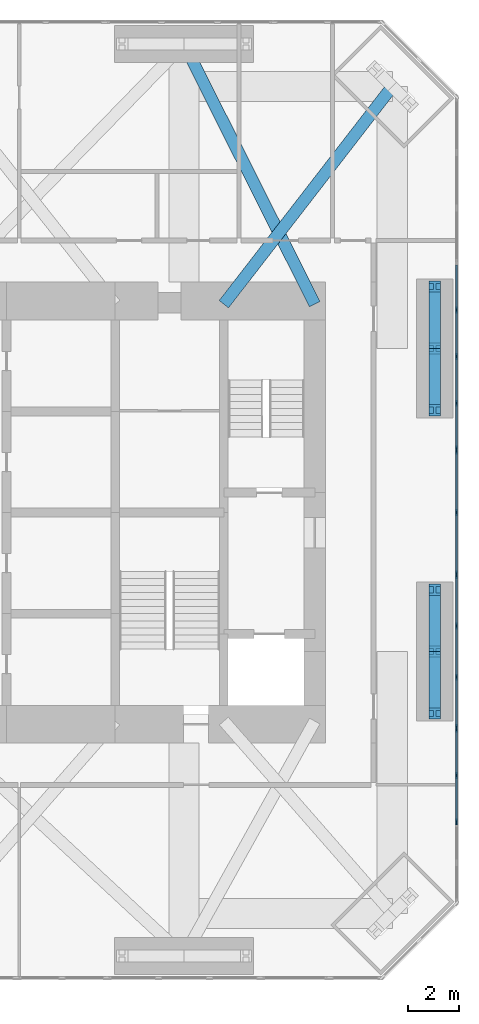
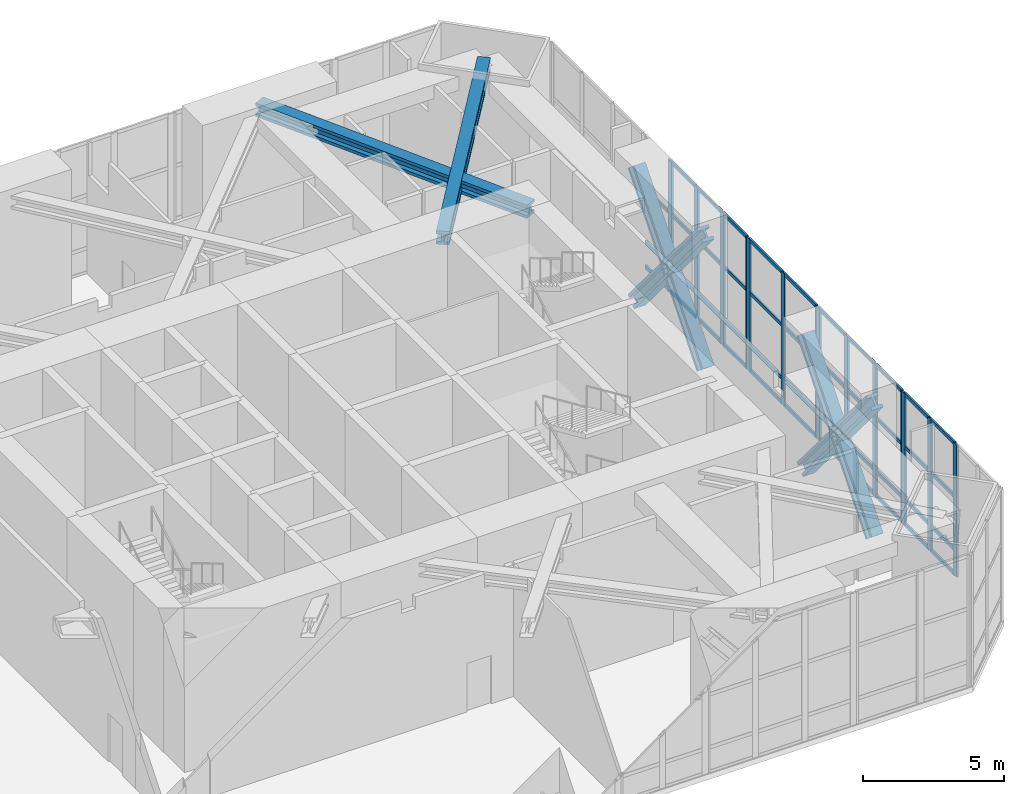
# One storey, part 6 of 18: 67 members, 4 elements without a shape of their own.
"""IFC4 building model written with IfcOpenShell, lengths in metres."""

from ifc_helpers import new_model, si_unit, direction, frame, origin, origin_2d, place, context, subcontext, project, spatial, rectangle, i_section, extrude, material, material_profile, profile_set, type_object, element, aggregate, save


model = new_model("IFC4")

# Units and contexts
model_context = context("Model", 3, precision=1e-05, world=origin(), true_north=direction((0.0, 1.0)))
body_context = subcontext(model_context, "Body", "Model", "MODEL_VIEW")
ifc_project = project(units=[si_unit("LENGTHUNIT", "METRE"), si_unit("AREAUNIT", "SQUARE_METRE"), si_unit("VOLUMEUNIT", "CUBIC_METRE"), si_unit("PLANEANGLEUNIT", "RADIAN"), si_unit("MASSUNIT", "GRAM", prefix="KILO")], contexts=[model_context])

# Site, building, storey
site_placement = place(None, origin())
site = spatial("IfcSite", under=ifc_project, at=site_placement, CompositionType="ELEMENT")
building_placement = place(site_placement, origin())
building = spatial("IfcBuilding", under=site, at=building_placement, Name="Jalousie Tower", CompositionType="ELEMENT")
storey_placement = place(building_placement, frame((0.0, 0.0, 138.35009765625)))
storey = spatial("IfcBuildingStorey", under=building, at=storey_placement, Name="L38", CompositionType="ELEMENT", Elevation=138.35009765625)

# Members
ifc_material_1 = material(Name="Steel ASTM A992 Grade 50", Category="steel")
ifc_material_profile_1 = material_profile(ifc_material_1, i_section(OverallWidth=0.472412109375, OverallDepth=0.5791015625, WebThickness=0.094970703125, FlangeThickness=0.1298828125, at=origin_2d()), Name="W14X808")
ifc_profile_set_1 = profile_set([ifc_material_profile_1], Name="Steel ASTM A992 Grade 50")
member_type_1 = type_object("IfcMemberType", Name="KINK FLOOR TRUSS DIAGONAL W14X808", PredefinedType="BRACE", material=ifc_profile_set_1)
member_1_placement = place(storey_placement, frame((46.86865234375, 35.36865234375, 5.430419921875), z_axis=(-0.61195492021, -0.79089264482, 0.0), x_axis=(0.79089264482, -0.61195492021, 0.0)))
element("IfcMember", 1, at=member_1_placement, inside=storey, type_object=member_type_1, Name="Kink floor truss L39 08 diagonal", PredefinedType="BRACE", context=body_context, shape_type="SweptSolid", body=[
    extrude(i_section(OverallWidth=0.472412109375, OverallDepth=0.5791015625, WebThickness=0.094970703125, FlangeThickness=0.1298828125, at=origin_2d()), origin(), (0.0, 0.0, 1.0), 10.8974609375),
])
member_2_placement = place(storey_placement, frame((38.625, 37.050048828125, 5.430419921875), z_axis=(0.448949500972, -0.893557130561, 0.0), x_axis=(0.893557130561, 0.448949500972, 0.0)))
element("IfcMember", 2, at=member_2_placement, inside=storey, type_object=member_type_1, Name="Kink floor truss L39 09 diagonal", PredefinedType="BRACE", context=body_context, shape_type="SweptSolid", body=[
    extrude(i_section(OverallWidth=0.472412109375, OverallDepth=0.5791015625, WebThickness=0.094970703125, FlangeThickness=0.1298828125, at=origin_2d()), origin(), (0.0, 0.0, 1.0), 11.527099609375),
])
ifc_material_2 = material(Name="Steel ASTM A992 Grade 50", Category="steel")
ifc_material_profile_2 = material_profile(ifc_material_2, i_section(OverallWidth=0.472412109375, OverallDepth=0.5791015625, WebThickness=0.094970703125, FlangeThickness=0.1298828125, at=origin_2d()), Name="W14X808")
ifc_profile_set_2 = profile_set([ifc_material_profile_2], Name="Steel ASTM A992 Grade 50")
member_type_2 = type_object("IfcMemberType", Name="PERIMETER BRACE W14X808", PredefinedType="BRACE", material=ifc_profile_set_2)
for number, where, z_axis, x_axis, name in (
    (3, (48.550048828125, 10.550048828125, -0.60009765625), (0.0, 0.642101988506, 0.766619225141), (-1.0, 0.0, 0.0), "Perimeter brace 06 L38 part 1"),
    (4, (48.550048828125, 13.0, 2.324951171875), (0.0, 0.642101988506, 0.766619225141), (-1.0, 0.0, 0.0), "Perimeter brace 06 L38 part 2"),
    (5, (48.550048828125, 15.449951171875, -0.60009765625), (0.0, -0.642101988506, 0.766619225141), (1.0, 0.0, 0.0), "Perimeter brace 06 L38 part 3"),
    (6, (48.550048828125, 13.0, 2.324951171875), (0.0, -0.642101988506, 0.766619225141), (1.0, 0.0, 0.0), "Perimeter brace 06 L38 part 4"),
    (7, (48.550048828125, 22.550048828125, -0.60009765625), (0.0, 0.642101988506, 0.766619225141), (-1.0, 0.0, 0.0), "Perimeter brace 07 L38 part 1"),
    (8, (48.550048828125, 25.0, 2.324951171875), (0.0, 0.642101988506, 0.766619225141), (-1.0, 0.0, 0.0), "Perimeter brace 07 L38 part 2"),
    (9, (48.550048828125, 27.449951171875, -0.60009765625), (0.0, -0.642101988506, 0.766619225141), (1.0, 0.0, 0.0), "Perimeter brace 07 L38 part 3"),
    (10, (48.550048828125, 25.0, 2.324951171875), (0.0, -0.642101988506, 0.766619225141), (1.0, 0.0, 0.0), "Perimeter brace 07 L38 part 4"),
):
    element("IfcMember", number, at=place(storey_placement, frame(where, z_axis=z_axis, x_axis=x_axis)), inside=storey, type_object=member_type_2, Name=name, PredefinedType="BRACE", context=body_context, shape_type="SweptSolid", body=[
        extrude(i_section(OverallWidth=0.472412109375, OverallDepth=0.5791015625, WebThickness=0.094970703125, FlangeThickness=0.1298828125, at=origin_2d()), origin(), (0.0, 0.0, 1.0), 3.8154296875),
    ])

# Curtain wall, members
ifc_material_3 = material(Name="Aluminium curtain wall", Category="aluminium")
curtain_wall_type_1 = type_object("IfcCurtainWallType", Name="SKY LOUNGE SPANDREL WALL", PredefinedType="USERDEFINED", material=ifc_material_3)
curtain_wall_1_placement = place(storey_placement, origin())
curtain_wall_1 = element("IfcCurtainWall", 11, at=curtain_wall_1_placement, inside=storey, type_object=curtain_wall_type_1, Name="Sky Lounge Spandrel Wall L38 23", ObjectType="SKY LOUNGE SPANDREL WALL", PredefinedType="USERDEFINED")
ifc_material_4 = material(Name="Aluminium mullion", Category="aluminium")
ifc_material_profile_3 = material_profile(ifc_material_4, rectangle(XDim=0.074951171875, YDim=0.25, at=origin_2d()), Name="MULLION 75x250")
ifc_profile_set_3 = profile_set([ifc_material_profile_3], Name="Aluminium mullion")
member_type_3 = type_object("IfcMemberType", Name="SKY LOUNGE SPANDREL WALL MULLION", PredefinedType="MULLION", material=ifc_profile_set_3)
member_3_placement = place(storey_placement, frame((49.41259765625, 9.998046875, 0.0), z_axis=(0.0, 0.0, 1.0), x_axis=(-1.0, 0.0, 0.0)))
member_3 = element("IfcMember", 12, at=member_3_placement, type_object=member_type_3, Name="CW-KS mullion 1", PredefinedType="MULLION", context=body_context, shape_type="SweptSolid", body=[
    extrude(rectangle(XDim=0.074951171875, YDim=0.25, at=origin_2d()), origin(), (0.0, 0.0, 1.0), 5.719970703125),
])
member_4_placement = place(storey_placement, frame((49.41259765625, 11.98681640625, 0.0), z_axis=(0.0, 0.0, 1.0), x_axis=(-1.0, 0.0, 0.0)))
member_4 = element("IfcMember", 13, at=member_4_placement, type_object=member_type_3, Name="CW-KS mullion 2", PredefinedType="MULLION", context=body_context, shape_type="SweptSolid", body=[
    extrude(rectangle(XDim=0.074951171875, YDim=0.25, at=origin_2d()), origin(), (0.0, 0.0, 1.0), 5.719970703125),
])
member_5_placement = place(storey_placement, frame((49.41259765625, 14.01318359375, 0.0), z_axis=(0.0, 0.0, 1.0), x_axis=(-1.0, 0.0, 0.0)))
member_5 = element("IfcMember", 14, at=member_5_placement, type_object=member_type_3, Name="CW-KS mullion 3", PredefinedType="MULLION", context=body_context, shape_type="SweptSolid", body=[
    extrude(rectangle(XDim=0.074951171875, YDim=0.25, at=origin_2d()), origin(), (0.0, 0.0, 1.0), 5.719970703125),
])
member_6_placement = place(storey_placement, frame((49.41259765625, 16.001953125, 0.0), z_axis=(0.0, 0.0, 1.0), x_axis=(-1.0, 0.0, 0.0)))
member_6 = element("IfcMember", 15, at=member_6_placement, type_object=member_type_3, Name="CW-KS mullion 4", PredefinedType="MULLION", context=body_context, shape_type="SweptSolid", body=[
    extrude(rectangle(XDim=0.074951171875, YDim=0.25, at=origin_2d()), origin(), (0.0, 0.0, 1.0), 5.719970703125),
])

curtain_wall_2_placement = place(storey_placement, origin())
curtain_wall_2 = element("IfcCurtainWall", 16, at=curtain_wall_2_placement, inside=storey, type_object=curtain_wall_type_1, Name="Sky Lounge Spandrel Wall L38 25", ObjectType="SKY LOUNGE SPANDREL WALL", PredefinedType="USERDEFINED")
member_7_placement = place(storey_placement, frame((49.41259765625, 21.017578125, 0.0), z_axis=(0.0, 0.0, 1.0), x_axis=(-1.0, 0.0, 0.0)))
member_7 = element("IfcMember", 17, at=member_7_placement, type_object=member_type_3, Name="CW-KS mullion 1", PredefinedType="MULLION", context=body_context, shape_type="SweptSolid", body=[
    extrude(rectangle(XDim=0.074951171875, YDim=0.25, at=origin_2d()), origin(), (0.0, 0.0, 1.0), 5.719970703125),
])
member_8_placement = place(storey_placement, frame((49.41259765625, 22.828125, 0.0), z_axis=(0.0, 0.0, 1.0), x_axis=(-1.0, 0.0, 0.0)))
member_8 = element("IfcMember", 18, at=member_8_placement, type_object=member_type_3, Name="CW-KS mullion 2", PredefinedType="MULLION", context=body_context, shape_type="SweptSolid", body=[
    extrude(rectangle(XDim=0.074951171875, YDim=0.25, at=origin_2d()), origin(), (0.0, 0.0, 1.0), 5.719970703125),
])
member_9_placement = place(storey_placement, frame((49.41259765625, 24.67626953125, 0.0), z_axis=(0.0, 0.0, 1.0), x_axis=(-1.0, 0.0, 0.0)))
member_9 = element("IfcMember", 19, at=member_9_placement, type_object=member_type_3, Name="CW-KS mullion 3", PredefinedType="MULLION", context=body_context, shape_type="SweptSolid", body=[
    extrude(rectangle(XDim=0.074951171875, YDim=0.25, at=origin_2d()), origin(), (0.0, 0.0, 1.0), 5.719970703125),
])
member_10_placement = place(storey_placement, frame((49.41259765625, 26.5244140625, 0.0), z_axis=(0.0, 0.0, 1.0), x_axis=(-1.0, 0.0, 0.0)))
member_10 = element("IfcMember", 20, at=member_10_placement, type_object=member_type_3, Name="CW-KS mullion 4", PredefinedType="MULLION", context=body_context, shape_type="SweptSolid", body=[
    extrude(rectangle(XDim=0.074951171875, YDim=0.25, at=origin_2d()), origin(), (0.0, 0.0, 1.0), 5.719970703125),
])

# Member
ifc_material_5 = material(Name="Aluminium transom", Category="aluminium")
ifc_material_profile_4 = material_profile(ifc_material_5, rectangle(XDim=0.074951171875, YDim=0.14990234375, at=origin_2d()), Name="TRANSOM 75x150")
ifc_profile_set_4 = profile_set([ifc_material_profile_4], Name="Aluminium transom")
member_type_4 = type_object("IfcMemberType", Name="SKY LOUNGE SPANDREL WALL TRANSOM", PredefinedType="USERDEFINED", material=ifc_profile_set_4)
member_11_placement = place(storey_placement, frame((49.41259765625, 10.035400390625, 0.037353515625), z_axis=(0.0, 1.0, 0.0), x_axis=(-1.0, 0.0, 0.0)))
member_11 = element("IfcMember", 21, at=member_11_placement, type_object=member_type_4, Name="CW-KS transom 1.1", ObjectType="TRANSOM", PredefinedType="USERDEFINED", context=body_context, shape_type="SweptSolid", body=[
    extrude(rectangle(XDim=0.074951171875, YDim=0.14990234375, at=origin_2d()), origin(), (0.0, 0.0, 1.0), 1.913818359375),
])

member_12_placement = place(storey_placement, frame((49.41259765625, 10.035400390625, 1.099853515625), z_axis=(0.0, 1.0, 0.0), x_axis=(-1.0, 0.0, 0.0)))
member_12 = element("IfcMember", 22, at=member_12_placement, type_object=member_type_4, Name="CW-KS transom 1.2", ObjectType="TRANSOM", PredefinedType="USERDEFINED", context=body_context, shape_type="SweptSolid", body=[
    extrude(rectangle(XDim=0.074951171875, YDim=0.14990234375, at=origin_2d()), origin(), (0.0, 0.0, 1.0), 1.913818359375),
])

member_13_placement = place(storey_placement, frame((49.41259765625, 10.035400390625, 3.39990234375), z_axis=(0.0, 1.0, 0.0), x_axis=(-1.0, 0.0, 0.0)))
member_13 = element("IfcMember", 23, at=member_13_placement, type_object=member_type_4, Name="CW-KS transom 1.3", ObjectType="TRANSOM", PredefinedType="USERDEFINED", context=body_context, shape_type="SweptSolid", body=[
    extrude(rectangle(XDim=0.074951171875, YDim=0.14990234375, at=origin_2d()), origin(), (0.0, 0.0, 1.0), 1.913818359375),
])

member_14_placement = place(storey_placement, frame((49.41259765625, 10.035400390625, 5.682373046875), z_axis=(0.0, 1.0, 0.0), x_axis=(-1.0, 0.0, 0.0)))
member_14 = element("IfcMember", 24, at=member_14_placement, type_object=member_type_4, Name="CW-KS transom 1.4", ObjectType="TRANSOM", PredefinedType="USERDEFINED", context=body_context, shape_type="SweptSolid", body=[
    extrude(rectangle(XDim=0.074951171875, YDim=0.14990234375, at=origin_2d()), origin(), (0.0, 0.0, 1.0), 1.913818359375),
])

member_15_placement = place(storey_placement, frame((49.41259765625, 12.0244140625, 0.037353515625), z_axis=(0.0, 1.0, 0.0), x_axis=(-1.0, 0.0, 0.0)))
member_15 = element("IfcMember", 25, at=member_15_placement, type_object=member_type_4, Name="CW-KS transom 2.1", ObjectType="TRANSOM", PredefinedType="USERDEFINED", context=body_context, shape_type="SweptSolid", body=[
    extrude(rectangle(XDim=0.074951171875, YDim=0.14990234375, at=origin_2d()), origin(), (0.0, 0.0, 1.0), 1.951171875),
])

member_16_placement = place(storey_placement, frame((49.41259765625, 12.0244140625, 1.099853515625), z_axis=(0.0, 1.0, 0.0), x_axis=(-1.0, 0.0, 0.0)))
member_16 = element("IfcMember", 26, at=member_16_placement, type_object=member_type_4, Name="CW-KS transom 2.2", ObjectType="TRANSOM", PredefinedType="USERDEFINED", context=body_context, shape_type="SweptSolid", body=[
    extrude(rectangle(XDim=0.074951171875, YDim=0.14990234375, at=origin_2d()), origin(), (0.0, 0.0, 1.0), 1.951171875),
])

member_17_placement = place(storey_placement, frame((49.41259765625, 12.0244140625, 3.39990234375), z_axis=(0.0, 1.0, 0.0), x_axis=(-1.0, 0.0, 0.0)))
member_17 = element("IfcMember", 27, at=member_17_placement, type_object=member_type_4, Name="CW-KS transom 2.3", ObjectType="TRANSOM", PredefinedType="USERDEFINED", context=body_context, shape_type="SweptSolid", body=[
    extrude(rectangle(XDim=0.074951171875, YDim=0.14990234375, at=origin_2d()), origin(), (0.0, 0.0, 1.0), 1.951171875),
])

member_18_placement = place(storey_placement, frame((49.41259765625, 12.0244140625, 5.682373046875), z_axis=(0.0, 1.0, 0.0), x_axis=(-1.0, 0.0, 0.0)))
member_18 = element("IfcMember", 28, at=member_18_placement, type_object=member_type_4, Name="CW-KS transom 2.4", ObjectType="TRANSOM", PredefinedType="USERDEFINED", context=body_context, shape_type="SweptSolid", body=[
    extrude(rectangle(XDim=0.074951171875, YDim=0.14990234375, at=origin_2d()), origin(), (0.0, 0.0, 1.0), 1.951171875),
])

member_19_placement = place(storey_placement, frame((49.41259765625, 14.05078125, 0.037353515625), z_axis=(0.0, 1.0, 0.0), x_axis=(-1.0, 0.0, 0.0)))
member_19 = element("IfcMember", 29, at=member_19_placement, type_object=member_type_4, Name="CW-KS transom 3.1", ObjectType="TRANSOM", PredefinedType="USERDEFINED", context=body_context, shape_type="SweptSolid", body=[
    extrude(rectangle(XDim=0.074951171875, YDim=0.14990234375, at=origin_2d()), origin(), (0.0, 0.0, 1.0), 1.913818359375),
])

member_20_placement = place(storey_placement, frame((49.41259765625, 14.05078125, 1.099853515625), z_axis=(0.0, 1.0, 0.0), x_axis=(-1.0, 0.0, 0.0)))
member_20 = element("IfcMember", 30, at=member_20_placement, type_object=member_type_4, Name="CW-KS transom 3.2", ObjectType="TRANSOM", PredefinedType="USERDEFINED", context=body_context, shape_type="SweptSolid", body=[
    extrude(rectangle(XDim=0.074951171875, YDim=0.14990234375, at=origin_2d()), origin(), (0.0, 0.0, 1.0), 1.913818359375),
])

member_21_placement = place(storey_placement, frame((49.41259765625, 14.05078125, 3.39990234375), z_axis=(0.0, 1.0, 0.0), x_axis=(-1.0, 0.0, 0.0)))
member_21 = element("IfcMember", 31, at=member_21_placement, type_object=member_type_4, Name="CW-KS transom 3.3", ObjectType="TRANSOM", PredefinedType="USERDEFINED", context=body_context, shape_type="SweptSolid", body=[
    extrude(rectangle(XDim=0.074951171875, YDim=0.14990234375, at=origin_2d()), origin(), (0.0, 0.0, 1.0), 1.913818359375),
])

member_22_placement = place(storey_placement, frame((49.41259765625, 14.05078125, 5.682373046875), z_axis=(0.0, 1.0, 0.0), x_axis=(-1.0, 0.0, 0.0)))
member_22 = element("IfcMember", 32, at=member_22_placement, type_object=member_type_4, Name="CW-KS transom 3.4", ObjectType="TRANSOM", PredefinedType="USERDEFINED", context=body_context, shape_type="SweptSolid", body=[
    extrude(rectangle(XDim=0.074951171875, YDim=0.14990234375, at=origin_2d()), origin(), (0.0, 0.0, 1.0), 1.913818359375),
])

aggregate(curtain_wall_1, [member_3, member_4, member_5, member_6, member_11, member_12, member_13, member_14, member_15, member_16, member_17, member_18, member_19, member_20, member_21, member_22])

member_23_placement = place(storey_placement, frame((49.41259765625, 21.054931640625, 0.037353515625), z_axis=(0.0, 1.0, 0.0), x_axis=(-1.0, 0.0, 0.0)))
member_23 = element("IfcMember", 33, at=member_23_placement, type_object=member_type_4, Name="CW-KS transom 1.1", ObjectType="TRANSOM", PredefinedType="USERDEFINED", context=body_context, shape_type="SweptSolid", body=[
    extrude(rectangle(XDim=0.074951171875, YDim=0.14990234375, at=origin_2d()), origin(), (0.0, 0.0, 1.0), 1.73583984375),
])

member_24_placement = place(storey_placement, frame((49.41259765625, 21.054931640625, 1.099853515625), z_axis=(0.0, 1.0, 0.0), x_axis=(-1.0, 0.0, 0.0)))
member_24 = element("IfcMember", 34, at=member_24_placement, type_object=member_type_4, Name="CW-KS transom 1.2", ObjectType="TRANSOM", PredefinedType="USERDEFINED", context=body_context, shape_type="SweptSolid", body=[
    extrude(rectangle(XDim=0.074951171875, YDim=0.14990234375, at=origin_2d()), origin(), (0.0, 0.0, 1.0), 1.73583984375),
])

member_25_placement = place(storey_placement, frame((49.41259765625, 21.054931640625, 3.39990234375), z_axis=(0.0, 1.0, 0.0), x_axis=(-1.0, 0.0, 0.0)))
member_25 = element("IfcMember", 35, at=member_25_placement, type_object=member_type_4, Name="CW-KS transom 1.3", ObjectType="TRANSOM", PredefinedType="USERDEFINED", context=body_context, shape_type="SweptSolid", body=[
    extrude(rectangle(XDim=0.074951171875, YDim=0.14990234375, at=origin_2d()), origin(), (0.0, 0.0, 1.0), 1.73583984375),
])

member_26_placement = place(storey_placement, frame((49.41259765625, 21.054931640625, 5.682373046875), z_axis=(0.0, 1.0, 0.0), x_axis=(-1.0, 0.0, 0.0)))
member_26 = element("IfcMember", 36, at=member_26_placement, type_object=member_type_4, Name="CW-KS transom 1.4", ObjectType="TRANSOM", PredefinedType="USERDEFINED", context=body_context, shape_type="SweptSolid", body=[
    extrude(rectangle(XDim=0.074951171875, YDim=0.14990234375, at=origin_2d()), origin(), (0.0, 0.0, 1.0), 1.73583984375),
])

member_27_placement = place(storey_placement, frame((49.41259765625, 22.86572265625, 0.037353515625), z_axis=(0.0, 1.0, 0.0), x_axis=(-1.0, 0.0, 0.0)))
member_27 = element("IfcMember", 37, at=member_27_placement, type_object=member_type_4, Name="CW-KS transom 2.1", ObjectType="TRANSOM", PredefinedType="USERDEFINED", context=body_context, shape_type="SweptSolid", body=[
    extrude(rectangle(XDim=0.074951171875, YDim=0.14990234375, at=origin_2d()), origin(), (0.0, 0.0, 1.0), 1.773193359375),
])

member_28_placement = place(storey_placement, frame((49.41259765625, 22.86572265625, 1.099853515625), z_axis=(0.0, 1.0, 0.0), x_axis=(-1.0, 0.0, 0.0)))
member_28 = element("IfcMember", 38, at=member_28_placement, type_object=member_type_4, Name="CW-KS transom 2.2", ObjectType="TRANSOM", PredefinedType="USERDEFINED", context=body_context, shape_type="SweptSolid", body=[
    extrude(rectangle(XDim=0.074951171875, YDim=0.14990234375, at=origin_2d()), origin(), (0.0, 0.0, 1.0), 1.773193359375),
])

member_29_placement = place(storey_placement, frame((49.41259765625, 22.86572265625, 3.39990234375), z_axis=(0.0, 1.0, 0.0), x_axis=(-1.0, 0.0, 0.0)))
member_29 = element("IfcMember", 39, at=member_29_placement, type_object=member_type_4, Name="CW-KS transom 2.3", ObjectType="TRANSOM", PredefinedType="USERDEFINED", context=body_context, shape_type="SweptSolid", body=[
    extrude(rectangle(XDim=0.074951171875, YDim=0.14990234375, at=origin_2d()), origin(), (0.0, 0.0, 1.0), 1.773193359375),
])

member_30_placement = place(storey_placement, frame((49.41259765625, 22.86572265625, 5.682373046875), z_axis=(0.0, 1.0, 0.0), x_axis=(-1.0, 0.0, 0.0)))
member_30 = element("IfcMember", 40, at=member_30_placement, type_object=member_type_4, Name="CW-KS transom 2.4", ObjectType="TRANSOM", PredefinedType="USERDEFINED", context=body_context, shape_type="SweptSolid", body=[
    extrude(rectangle(XDim=0.074951171875, YDim=0.14990234375, at=origin_2d()), origin(), (0.0, 0.0, 1.0), 1.773193359375),
])

member_31_placement = place(storey_placement, frame((49.41259765625, 24.7138671875, 0.037353515625), z_axis=(0.0, 1.0, 0.0), x_axis=(-1.0, 0.0, 0.0)))
member_31 = element("IfcMember", 41, at=member_31_placement, type_object=member_type_4, Name="CW-KS transom 3.1", ObjectType="TRANSOM", PredefinedType="USERDEFINED", context=body_context, shape_type="SweptSolid", body=[
    extrude(rectangle(XDim=0.074951171875, YDim=0.14990234375, at=origin_2d()), origin(), (0.0, 0.0, 1.0), 1.773193359375),
])

member_32_placement = place(storey_placement, frame((49.41259765625, 24.7138671875, 1.099853515625), z_axis=(0.0, 1.0, 0.0), x_axis=(-1.0, 0.0, 0.0)))
member_32 = element("IfcMember", 42, at=member_32_placement, type_object=member_type_4, Name="CW-KS transom 3.2", ObjectType="TRANSOM", PredefinedType="USERDEFINED", context=body_context, shape_type="SweptSolid", body=[
    extrude(rectangle(XDim=0.074951171875, YDim=0.14990234375, at=origin_2d()), origin(), (0.0, 0.0, 1.0), 1.773193359375),
])

member_33_placement = place(storey_placement, frame((49.41259765625, 24.7138671875, 3.39990234375), z_axis=(0.0, 1.0, 0.0), x_axis=(-1.0, 0.0, 0.0)))
member_33 = element("IfcMember", 43, at=member_33_placement, type_object=member_type_4, Name="CW-KS transom 3.3", ObjectType="TRANSOM", PredefinedType="USERDEFINED", context=body_context, shape_type="SweptSolid", body=[
    extrude(rectangle(XDim=0.074951171875, YDim=0.14990234375, at=origin_2d()), origin(), (0.0, 0.0, 1.0), 1.773193359375),
])

member_34_placement = place(storey_placement, frame((49.41259765625, 24.7138671875, 5.682373046875), z_axis=(0.0, 1.0, 0.0), x_axis=(-1.0, 0.0, 0.0)))
member_34 = element("IfcMember", 44, at=member_34_placement, type_object=member_type_4, Name="CW-KS transom 3.4", ObjectType="TRANSOM", PredefinedType="USERDEFINED", context=body_context, shape_type="SweptSolid", body=[
    extrude(rectangle(XDim=0.074951171875, YDim=0.14990234375, at=origin_2d()), origin(), (0.0, 0.0, 1.0), 1.773193359375),
])

member_35_placement = place(storey_placement, frame((49.41259765625, 26.56201171875, 0.037353515625), z_axis=(0.0, 1.0, 0.0), x_axis=(-1.0, 0.0, 0.0)))
member_35 = element("IfcMember", 45, at=member_35_placement, type_object=member_type_4, Name="CW-KS transom 4.1", ObjectType="TRANSOM", PredefinedType="USERDEFINED", context=body_context, shape_type="SweptSolid", body=[
    extrude(rectangle(XDim=0.074951171875, YDim=0.14990234375, at=origin_2d()), origin(), (0.0, 0.0, 1.0), 1.735595703125),
])

member_36_placement = place(storey_placement, frame((49.41259765625, 26.56201171875, 1.099853515625), z_axis=(0.0, 1.0, 0.0), x_axis=(-1.0, 0.0, 0.0)))
member_36 = element("IfcMember", 46, at=member_36_placement, type_object=member_type_4, Name="CW-KS transom 4.2", ObjectType="TRANSOM", PredefinedType="USERDEFINED", context=body_context, shape_type="SweptSolid", body=[
    extrude(rectangle(XDim=0.074951171875, YDim=0.14990234375, at=origin_2d()), origin(), (0.0, 0.0, 1.0), 1.735595703125),
])

member_37_placement = place(storey_placement, frame((49.41259765625, 26.56201171875, 3.39990234375), z_axis=(0.0, 1.0, 0.0), x_axis=(-1.0, 0.0, 0.0)))
member_37 = element("IfcMember", 47, at=member_37_placement, type_object=member_type_4, Name="CW-KS transom 4.3", ObjectType="TRANSOM", PredefinedType="USERDEFINED", context=body_context, shape_type="SweptSolid", body=[
    extrude(rectangle(XDim=0.074951171875, YDim=0.14990234375, at=origin_2d()), origin(), (0.0, 0.0, 1.0), 1.735595703125),
])

aggregate(curtain_wall_2, [member_7, member_8, member_9, member_10, member_23, member_24, member_25, member_26, member_27, member_28, member_29, member_30, member_31, member_32, member_33, member_34, member_35, member_36, member_37])

# Curtain wall, members
ifc_material_6 = material(Name="Aluminium curtain wall", Category="aluminium")
curtain_wall_type_2 = type_object("IfcCurtainWallType", Name="SKY LOUNGE WINDOW WALL", PredefinedType="USERDEFINED", material=ifc_material_6)
curtain_wall_3_placement = place(storey_placement, origin())
curtain_wall_3 = element("IfcCurtainWall", 48, at=curtain_wall_3_placement, inside=storey, type_object=curtain_wall_type_2, Name="Sky Lounge Window Wall L38 22", ObjectType="SKY LOUNGE WINDOW WALL", PredefinedType="USERDEFINED")
ifc_material_7 = material(Name="Aluminium mullion", Category="aluminium")
ifc_material_profile_5 = material_profile(ifc_material_7, rectangle(XDim=0.074951171875, YDim=0.25, at=origin_2d()), Name="MULLION 75x250")
ifc_profile_set_5 = profile_set([ifc_material_profile_5], Name="Aluminium mullion")
member_type_5 = type_object("IfcMemberType", Name="SKY LOUNGE WINDOW WALL MULLION", PredefinedType="MULLION", material=ifc_profile_set_5)
member_38_placement = place(storey_placement, frame((49.41259765625, 6.2646484375, 0.0), z_axis=(0.0, 0.0, 1.0), x_axis=(-1.0, 0.0, 0.0)))
member_38 = element("IfcMember", 49, at=member_38_placement, type_object=member_type_5, Name="CW-K mullion 1", PredefinedType="MULLION", context=body_context, shape_type="SweptSolid", body=[
    extrude(rectangle(XDim=0.074951171875, YDim=0.25, at=origin_2d()), origin(), (0.0, 0.0, 1.0), 5.719970703125),
])
member_39_placement = place(storey_placement, frame((49.41259765625, 8.09375, 0.0), z_axis=(0.0, 0.0, 1.0), x_axis=(-1.0, 0.0, 0.0)))
member_39 = element("IfcMember", 50, at=member_39_placement, type_object=member_type_5, Name="CW-K mullion 2", PredefinedType="MULLION", context=body_context, shape_type="SweptSolid", body=[
    extrude(rectangle(XDim=0.074951171875, YDim=0.25, at=origin_2d()), origin(), (0.0, 0.0, 1.0), 5.719970703125),
])
member_40_placement = place(storey_placement, frame((49.41259765625, 9.923095703125, 0.0), z_axis=(0.0, 0.0, 1.0), x_axis=(-1.0, 0.0, 0.0)))
member_40 = element("IfcMember", 51, at=member_40_placement, type_object=member_type_5, Name="CW-K mullion 3", PredefinedType="MULLION", context=body_context, shape_type="SweptSolid", body=[
    extrude(rectangle(XDim=0.074951171875, YDim=0.25, at=origin_2d()), origin(), (0.0, 0.0, 1.0), 5.719970703125),
])

curtain_wall_4_placement = place(storey_placement, origin())
curtain_wall_4 = element("IfcCurtainWall", 52, at=curtain_wall_4_placement, inside=storey, type_object=curtain_wall_type_2, Name="Sky Lounge Window Wall L38 24", ObjectType="SKY LOUNGE WINDOW WALL", PredefinedType="USERDEFINED")
member_41_placement = place(storey_placement, frame((49.41259765625, 16.076904296875, 0.0), z_axis=(0.0, 0.0, 1.0), x_axis=(-1.0, 0.0, 0.0)))
member_41 = element("IfcMember", 53, at=member_41_placement, type_object=member_type_5, Name="CW-K mullion 1", PredefinedType="MULLION", context=body_context, shape_type="SweptSolid", body=[
    extrude(rectangle(XDim=0.074951171875, YDim=0.25, at=origin_2d()), origin(), (0.0, 0.0, 1.0), 5.719970703125),
])
member_42_placement = place(storey_placement, frame((49.41259765625, 18.509765625, 0.0), z_axis=(0.0, 0.0, 1.0), x_axis=(-1.0, 0.0, 0.0)))
member_42 = element("IfcMember", 54, at=member_42_placement, type_object=member_type_5, Name="CW-K mullion 2", PredefinedType="MULLION", context=body_context, shape_type="SweptSolid", body=[
    extrude(rectangle(XDim=0.074951171875, YDim=0.25, at=origin_2d()), origin(), (0.0, 0.0, 1.0), 5.719970703125),
])
member_43_placement = place(storey_placement, frame((49.41259765625, 20.9423828125, 0.0), z_axis=(0.0, 0.0, 1.0), x_axis=(-1.0, 0.0, 0.0)))
member_43 = element("IfcMember", 55, at=member_43_placement, type_object=member_type_5, Name="CW-K mullion 3", PredefinedType="MULLION", context=body_context, shape_type="SweptSolid", body=[
    extrude(rectangle(XDim=0.074951171875, YDim=0.25, at=origin_2d()), origin(), (0.0, 0.0, 1.0), 5.719970703125),
])

# Member
ifc_material_8 = material(Name="Aluminium transom", Category="aluminium")
ifc_material_profile_6 = material_profile(ifc_material_8, rectangle(XDim=0.074951171875, YDim=0.14990234375, at=origin_2d()), Name="TRANSOM 75x150")
ifc_profile_set_6 = profile_set([ifc_material_profile_6], Name="Aluminium transom")
member_type_6 = type_object("IfcMemberType", Name="SKY LOUNGE WINDOW WALL TRANSOM", PredefinedType="USERDEFINED", material=ifc_profile_set_6)
member_44_placement = place(storey_placement, frame((49.41259765625, 6.30224609375, 0.037353515625), z_axis=(0.0, 1.0, 0.0), x_axis=(-1.0, 0.0, 0.0)))
member_44 = element("IfcMember", 56, at=member_44_placement, type_object=member_type_6, Name="CW-K transom 1.1", ObjectType="TRANSOM", PredefinedType="USERDEFINED", context=body_context, shape_type="SweptSolid", body=[
    extrude(rectangle(XDim=0.074951171875, YDim=0.14990234375, at=origin_2d()), origin(), (0.0, 0.0, 1.0), 1.754150390625),
])

member_45_placement = place(storey_placement, frame((49.41259765625, 6.30224609375, 1.099853515625), z_axis=(0.0, 1.0, 0.0), x_axis=(-1.0, 0.0, 0.0)))
member_45 = element("IfcMember", 57, at=member_45_placement, type_object=member_type_6, Name="CW-K transom 1.2", ObjectType="TRANSOM", PredefinedType="USERDEFINED", context=body_context, shape_type="SweptSolid", body=[
    extrude(rectangle(XDim=0.074951171875, YDim=0.14990234375, at=origin_2d()), origin(), (0.0, 0.0, 1.0), 1.754150390625),
])

member_46_placement = place(storey_placement, frame((49.41259765625, 6.30224609375, 3.39990234375), z_axis=(0.0, 1.0, 0.0), x_axis=(-1.0, 0.0, 0.0)))
member_46 = element("IfcMember", 58, at=member_46_placement, type_object=member_type_6, Name="CW-K transom 1.3", ObjectType="TRANSOM", PredefinedType="USERDEFINED", context=body_context, shape_type="SweptSolid", body=[
    extrude(rectangle(XDim=0.074951171875, YDim=0.14990234375, at=origin_2d()), origin(), (0.0, 0.0, 1.0), 1.754150390625),
])

member_47_placement = place(storey_placement, frame((49.41259765625, 6.30224609375, 5.682373046875), z_axis=(0.0, 1.0, 0.0), x_axis=(-1.0, 0.0, 0.0)))
member_47 = element("IfcMember", 59, at=member_47_placement, type_object=member_type_6, Name="CW-K transom 1.4", ObjectType="TRANSOM", PredefinedType="USERDEFINED", context=body_context, shape_type="SweptSolid", body=[
    extrude(rectangle(XDim=0.074951171875, YDim=0.14990234375, at=origin_2d()), origin(), (0.0, 0.0, 1.0), 1.754150390625),
])

member_48_placement = place(storey_placement, frame((49.41259765625, 8.13134765625, 0.037353515625), z_axis=(0.0, 1.0, 0.0), x_axis=(-1.0, 0.0, 0.0)))
member_48 = element("IfcMember", 60, at=member_48_placement, type_object=member_type_6, Name="CW-K transom 2.1", ObjectType="TRANSOM", PredefinedType="USERDEFINED", context=body_context, shape_type="SweptSolid", body=[
    extrude(rectangle(XDim=0.074951171875, YDim=0.14990234375, at=origin_2d()), origin(), (0.0, 0.0, 1.0), 1.754150390625),
])

member_49_placement = place(storey_placement, frame((49.41259765625, 8.13134765625, 1.099853515625), z_axis=(0.0, 1.0, 0.0), x_axis=(-1.0, 0.0, 0.0)))
member_49 = element("IfcMember", 61, at=member_49_placement, type_object=member_type_6, Name="CW-K transom 2.2", ObjectType="TRANSOM", PredefinedType="USERDEFINED", context=body_context, shape_type="SweptSolid", body=[
    extrude(rectangle(XDim=0.074951171875, YDim=0.14990234375, at=origin_2d()), origin(), (0.0, 0.0, 1.0), 1.754150390625),
])

member_50_placement = place(storey_placement, frame((49.41259765625, 8.13134765625, 3.39990234375), z_axis=(0.0, 1.0, 0.0), x_axis=(-1.0, 0.0, 0.0)))
member_50 = element("IfcMember", 62, at=member_50_placement, type_object=member_type_6, Name="CW-K transom 2.3", ObjectType="TRANSOM", PredefinedType="USERDEFINED", context=body_context, shape_type="SweptSolid", body=[
    extrude(rectangle(XDim=0.074951171875, YDim=0.14990234375, at=origin_2d()), origin(), (0.0, 0.0, 1.0), 1.754150390625),
])

member_51_placement = place(storey_placement, frame((49.41259765625, 8.13134765625, 5.682373046875), z_axis=(0.0, 1.0, 0.0), x_axis=(-1.0, 0.0, 0.0)))
member_51 = element("IfcMember", 63, at=member_51_placement, type_object=member_type_6, Name="CW-K transom 2.4", ObjectType="TRANSOM", PredefinedType="USERDEFINED", context=body_context, shape_type="SweptSolid", body=[
    extrude(rectangle(XDim=0.074951171875, YDim=0.14990234375, at=origin_2d()), origin(), (0.0, 0.0, 1.0), 1.754150390625),
])

aggregate(curtain_wall_3, [member_38, member_39, member_40, member_44, member_45, member_46, member_47, member_48, member_49, member_50, member_51])

member_52_placement = place(storey_placement, frame((49.41259765625, 16.114501953125, 0.037353515625), z_axis=(0.0, 1.0, 0.0), x_axis=(-1.0, 0.0, 0.0)))
member_52 = element("IfcMember", 64, at=member_52_placement, type_object=member_type_6, Name="CW-K transom 1.1", ObjectType="TRANSOM", PredefinedType="USERDEFINED", context=body_context, shape_type="SweptSolid", body=[
    extrude(rectangle(XDim=0.074951171875, YDim=0.14990234375, at=origin_2d()), origin(), (0.0, 0.0, 1.0), 2.357666015625),
])

member_53_placement = place(storey_placement, frame((49.41259765625, 16.114501953125, 1.099853515625), z_axis=(0.0, 1.0, 0.0), x_axis=(-1.0, 0.0, 0.0)))
member_53 = element("IfcMember", 65, at=member_53_placement, type_object=member_type_6, Name="CW-K transom 1.2", ObjectType="TRANSOM", PredefinedType="USERDEFINED", context=body_context, shape_type="SweptSolid", body=[
    extrude(rectangle(XDim=0.074951171875, YDim=0.14990234375, at=origin_2d()), origin(), (0.0, 0.0, 1.0), 2.357666015625),
])

member_54_placement = place(storey_placement, frame((49.41259765625, 16.114501953125, 3.39990234375), z_axis=(0.0, 1.0, 0.0), x_axis=(-1.0, 0.0, 0.0)))
member_54 = element("IfcMember", 66, at=member_54_placement, type_object=member_type_6, Name="CW-K transom 1.3", ObjectType="TRANSOM", PredefinedType="USERDEFINED", context=body_context, shape_type="SweptSolid", body=[
    extrude(rectangle(XDim=0.074951171875, YDim=0.14990234375, at=origin_2d()), origin(), (0.0, 0.0, 1.0), 2.357666015625),
])

member_55_placement = place(storey_placement, frame((49.41259765625, 16.114501953125, 5.682373046875), z_axis=(0.0, 1.0, 0.0), x_axis=(-1.0, 0.0, 0.0)))
member_55 = element("IfcMember", 67, at=member_55_placement, type_object=member_type_6, Name="CW-K transom 1.4", ObjectType="TRANSOM", PredefinedType="USERDEFINED", context=body_context, shape_type="SweptSolid", body=[
    extrude(rectangle(XDim=0.074951171875, YDim=0.14990234375, at=origin_2d()), origin(), (0.0, 0.0, 1.0), 2.357666015625),
])

member_56_placement = place(storey_placement, frame((49.41259765625, 18.54736328125, 0.037353515625), z_axis=(0.0, 1.0, 0.0), x_axis=(-1.0, 0.0, 0.0)))
member_56 = element("IfcMember", 68, at=member_56_placement, type_object=member_type_6, Name="CW-K transom 2.1", ObjectType="TRANSOM", PredefinedType="USERDEFINED", context=body_context, shape_type="SweptSolid", body=[
    extrude(rectangle(XDim=0.074951171875, YDim=0.14990234375, at=origin_2d()), origin(), (0.0, 0.0, 1.0), 2.357666015625),
])

member_57_placement = place(storey_placement, frame((49.41259765625, 18.54736328125, 1.099853515625), z_axis=(0.0, 1.0, 0.0), x_axis=(-1.0, 0.0, 0.0)))
member_57 = element("IfcMember", 69, at=member_57_placement, type_object=member_type_6, Name="CW-K transom 2.2", ObjectType="TRANSOM", PredefinedType="USERDEFINED", context=body_context, shape_type="SweptSolid", body=[
    extrude(rectangle(XDim=0.074951171875, YDim=0.14990234375, at=origin_2d()), origin(), (0.0, 0.0, 1.0), 2.357666015625),
])

member_58_placement = place(storey_placement, frame((49.41259765625, 18.54736328125, 3.39990234375), z_axis=(0.0, 1.0, 0.0), x_axis=(-1.0, 0.0, 0.0)))
member_58 = element("IfcMember", 70, at=member_58_placement, type_object=member_type_6, Name="CW-K transom 2.3", ObjectType="TRANSOM", PredefinedType="USERDEFINED", context=body_context, shape_type="SweptSolid", body=[
    extrude(rectangle(XDim=0.074951171875, YDim=0.14990234375, at=origin_2d()), origin(), (0.0, 0.0, 1.0), 2.357666015625),
])

member_59_placement = place(storey_placement, frame((49.41259765625, 18.54736328125, 5.682373046875), z_axis=(0.0, 1.0, 0.0), x_axis=(-1.0, 0.0, 0.0)))
member_59 = element("IfcMember", 71, at=member_59_placement, type_object=member_type_6, Name="CW-K transom 2.4", ObjectType="TRANSOM", PredefinedType="USERDEFINED", context=body_context, shape_type="SweptSolid", body=[
    extrude(rectangle(XDim=0.074951171875, YDim=0.14990234375, at=origin_2d()), origin(), (0.0, 0.0, 1.0), 2.357666015625),
])

aggregate(curtain_wall_4, [member_41, member_42, member_43, member_52, member_53, member_54, member_55, member_56, member_57, member_58, member_59])

save(model, "model.ifc")
